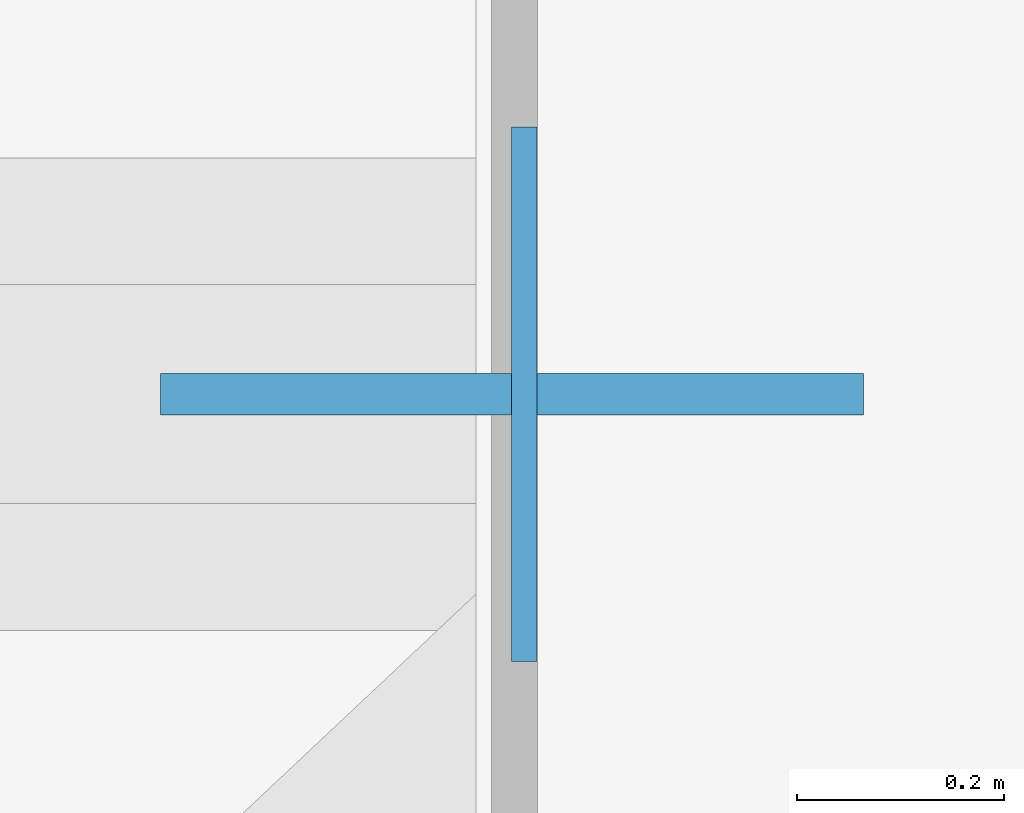
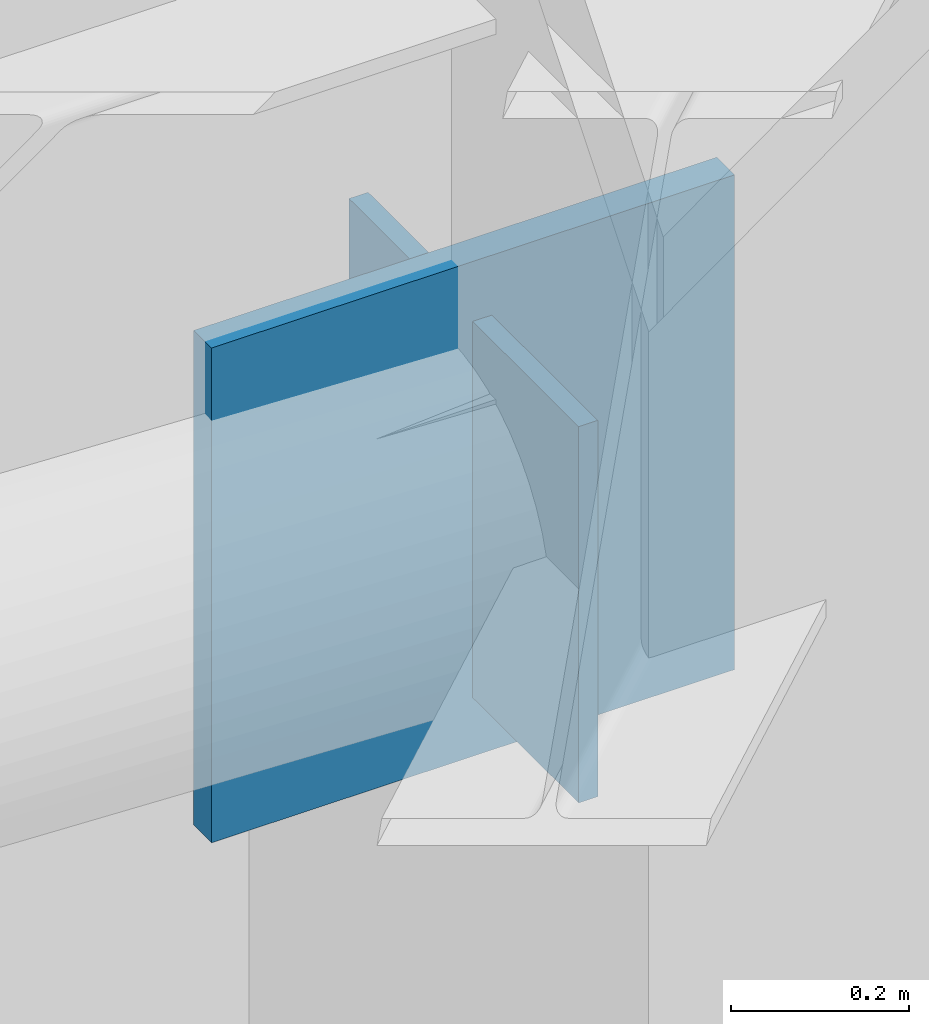
# One storey, part 4 of 11: 2 plates.
"""IFC4 building model written with IfcOpenShell, lengths in metres."""

from ifc_helpers import new_model, si_unit, direction, frame, origin, origin_2d, place, context, subcontext, project, spatial, rectangle, extrude, material, layer, layer_set, type_object, element, save


model = new_model("IFC4")

# Units and contexts
model_context = context("Model", 3, precision=1e-05, world=origin(), true_north=direction((0.0, 1.0)))
body_context = subcontext(model_context, "Body", "Model", "MODEL_VIEW")
ifc_project = project(units=[si_unit("LENGTHUNIT", "METRE"), si_unit("AREAUNIT", "SQUARE_METRE"), si_unit("VOLUMEUNIT", "CUBIC_METRE"), si_unit("PLANEANGLEUNIT", "RADIAN"), si_unit("MASSUNIT", "GRAM", prefix="KILO")], contexts=[model_context])

# Site, building, storey
site_placement = place(None, origin())
site = spatial("IfcSite", under=ifc_project, at=site_placement, CompositionType="ELEMENT")
building_placement = place(site_placement, origin())
building = spatial("IfcBuilding", under=site, at=building_placement, Name="Khamvora Tower", CompositionType="ELEMENT")
storey_placement = place(building_placement, frame((0.0, 0.0, 155.89990234375)))
storey = spatial("IfcBuildingStorey", under=building, at=storey_placement, Name="L39", CompositionType="ELEMENT", Elevation=155.89990234375)

# Plates
ifc_material_1 = material(Name="Steel S355", Category="steel")
ifc_layer_1 = layer(ifc_material_1, 0.02490234375)
ifc_layer_set_1 = layer_set([ifc_layer_1], Name="Steel S355")
plate_type_1 = type_object("IfcPlateType", Name="PL-CAP-25", PredefinedType="SHEET", material=ifc_layer_set_1)
plate_1_placement = place(storey_placement, frame((56.33203125, 44.5, 2.4384765625), z_axis=(0.0, 0.0, 1.0), x_axis=(-1.0, 0.0, 0.0)))
element("IfcPlate", 1, at=plate_1_placement, inside=storey, type_object=plate_type_1, Name="L39 hollow section steel end cap plate 0938", PredefinedType="SHEET", context=body_context, shape_type="SweptSolid", body=[
    extrude(rectangle(XDim=0.02490234375, YDim=0.51708984375, at=origin_2d()), origin(), (0.0, 0.0, 1.0), 0.51708984375),
])
ifc_material_2 = material(Name="Steel S460", Category="steel")
ifc_layer_2 = layer(ifc_material_2, 0.0400390625)
ifc_layer_set_2 = layer_set([ifc_layer_2], Name="Steel S460")
plate_type_2 = type_object("IfcPlateType", Name="PLT-GUS-40", PredefinedType="SHEET", material=ifc_layer_set_2)
plate_2_placement = place(storey_placement, frame((56.320068359375, 44.5, 2.35791015625), z_axis=(0.0, 0.0, 1.0), x_axis=(1.0, 0.0, 0.0)))
element("IfcPlate", 2, at=plate_2_placement, inside=storey, type_object=plate_type_2, Name="L39 brace connection node gusset plate 0275", PredefinedType="SHEET", context=body_context, shape_type="SweptSolid", body=[
    extrude(rectangle(XDim=0.679931640625, YDim=0.0400390625, at=origin_2d()), origin(), (0.0, 0.0, 1.0), 0.679931640625),
])

save(model, "model.ifc")
